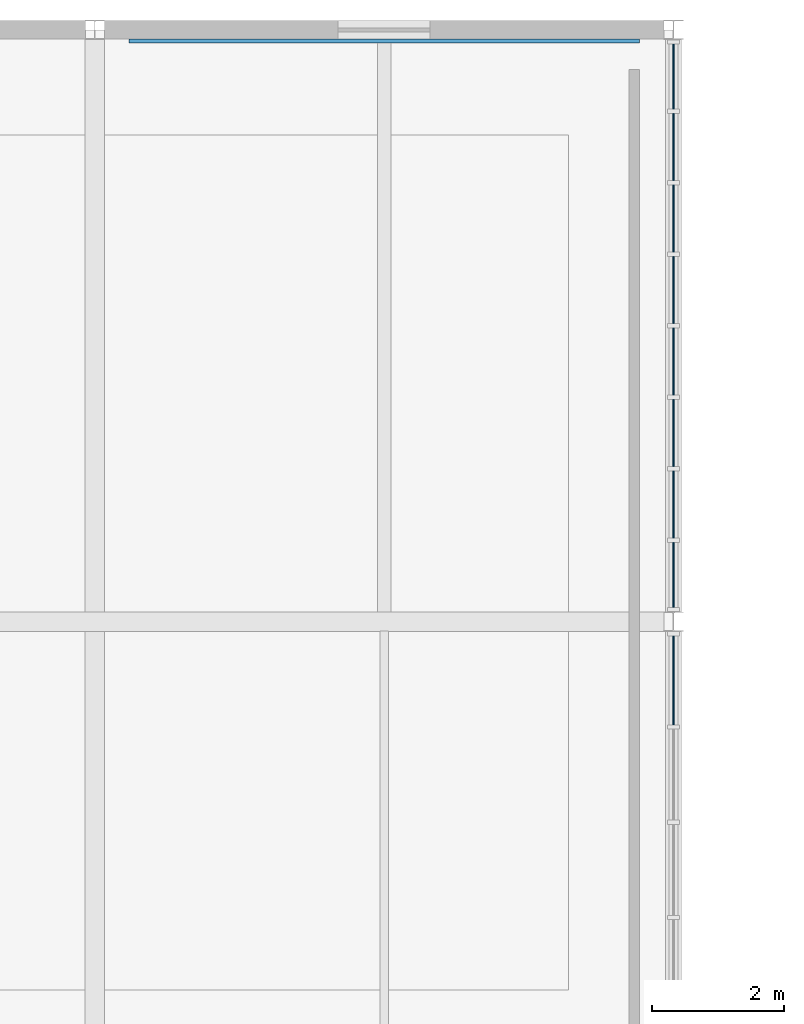
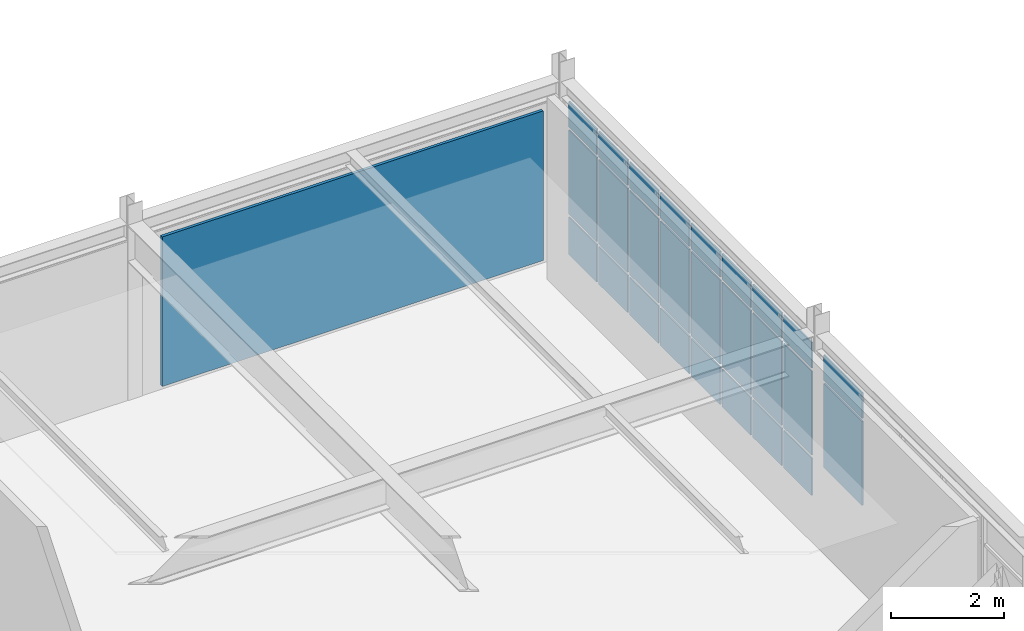
# One storey, part 32 of 64: 27 plates, 2 elements without a shape of their own.
"""IFC4 building model written with IfcOpenShell, lengths in metres."""

from ifc_helpers import new_model, si_unit, direction, frame, origin, origin_2d, place, context, subcontext, project, spatial, rectangle, extrude, material, layer, layer_set, type_object, element, aggregate, save


model = new_model("IFC4")

# Units and contexts
model_context = context("Model", 3, precision=1e-05, world=origin(), true_north=direction((0.0, 1.0)))
body_context = subcontext(model_context, "Body", "Model", "MODEL_VIEW")
ifc_project = project(units=[si_unit("LENGTHUNIT", "METRE"), si_unit("AREAUNIT", "SQUARE_METRE"), si_unit("VOLUMEUNIT", "CUBIC_METRE"), si_unit("PLANEANGLEUNIT", "RADIAN"), si_unit("MASSUNIT", "GRAM", prefix="KILO")], contexts=[model_context])

# Site, building, storey
site_placement = place(None, origin())
site = spatial("IfcSite", under=ifc_project, at=site_placement, CompositionType="ELEMENT")
building_placement = place(site_placement, origin())
building = spatial("IfcBuilding", under=site, at=building_placement, Name="Zhaolan Boulevard Law Courts", CompositionType="ELEMENT")
storey_placement = place(building_placement, frame((0.0, 0.0, 20.39990234375)))
storey = spatial("IfcBuildingStorey", under=building, at=storey_placement, Name="L04", CompositionType="ELEMENT", Elevation=20.39990234375)

# Curtain wall, plates
ifc_material_1 = material(Name="Thermally broken aluminium and low-E glazing", Category="aluminium")
curtain_wall_type_1 = type_object("IfcCurtainWallType", Name="CURTAIN WALL M17", PredefinedType="USERDEFINED", material=ifc_material_1)
curtain_wall_1_placement = place(storey_placement, origin())
curtain_wall_1 = element("IfcCurtainWall", 1, at=curtain_wall_1_placement, inside=storey, type_object=curtain_wall_type_1, Name="Curtain Wall CW-L04-137", ObjectType="CURTAIN WALL", PredefinedType="USERDEFINED")
ifc_material_2 = material(Name="Triple-silver low-E insulated glazing", Category="glass")
ifc_layer_1 = layer(ifc_material_2, 0.028076171875)
ifc_layer_set_1 = layer_set([ifc_layer_1])
plate_type_1 = type_object("IfcPlateType", Name="CWPANEL LOW E28", PredefinedType="CURTAIN_PANEL", material=ifc_layer_set_1)
plate_1_placement = place(storey_placement, frame((44.0, 102.107177734375, 0.9326171875), z_axis=(0.0, 0.0, 1.0), x_axis=(0.0, 1.0, 0.0)))
plate_1 = element("IfcPlate", 2, at=plate_1_placement, type_object=plate_type_1, Name="CW-L04-137 panel 6.2", PredefinedType="CURTAIN_PANEL", context=body_context, shape_type="SweptSolid", body=[
    extrude(rectangle(XDim=1.351806640625, YDim=0.028076171875, at=origin_2d()), origin(), (0.0, 0.0, 1.0), 1.80810546875),
])
plate_2_placement = place(storey_placement, frame((44.0, 102.107177734375, 2.8056640625), z_axis=(0.0, 0.0, 1.0), x_axis=(0.0, 1.0, 0.0)))
plate_2 = element("IfcPlate", 3, at=plate_2_placement, type_object=plate_type_1, Name="CW-L04-137 panel 6.3", PredefinedType="CURTAIN_PANEL", context=body_context, shape_type="SweptSolid", body=[
    extrude(rectangle(XDim=1.351806640625, YDim=0.028076171875, at=origin_2d()), origin(), (0.0, 0.0, 1.0), 0.552490234375),
])
aggregate(curtain_wall_1, [plate_1, plate_2])

ifc_material_3 = material(Name="Thermally broken aluminium and low-E glazing", Category="aluminium")
curtain_wall_type_2 = type_object("IfcCurtainWallType", Name="CURTAIN WALL M18", PredefinedType="USERDEFINED", material=ifc_material_3)
curtain_wall_2_placement = place(storey_placement, origin())
curtain_wall_2 = element("IfcCurtainWall", 4, at=curtain_wall_2_placement, inside=storey, type_object=curtain_wall_type_2, Name="Curtain Wall CW-L04-138", ObjectType="CURTAIN WALL", PredefinedType="USERDEFINED")
plate_3_placement = place(storey_placement, frame((44.0, 103.711669921875, 0.06494140625), z_axis=(0.0, 0.0, 1.0), x_axis=(0.0, 1.0, 0.0)))
plate_3 = element("IfcPlate", 5, at=plate_3_placement, type_object=plate_type_1, Name="CW-L04-138 panel 1.1", PredefinedType="CURTAIN_PANEL", context=body_context, shape_type="SweptSolid", body=[
    extrude(rectangle(XDim=0.989501953125, YDim=0.028076171875, at=origin_2d()), origin(), (0.0, 0.0, 1.0), 0.802490234375),
])
plate_4_placement = place(storey_placement, frame((44.0, 103.711669921875, 0.9326171875), z_axis=(0.0, 0.0, 1.0), x_axis=(0.0, 1.0, 0.0)))
plate_4 = element("IfcPlate", 6, at=plate_4_placement, type_object=plate_type_1, Name="CW-L04-138 panel 1.2", PredefinedType="CURTAIN_PANEL", context=body_context, shape_type="SweptSolid", body=[
    extrude(rectangle(XDim=0.989501953125, YDim=0.028076171875, at=origin_2d()), origin(), (0.0, 0.0, 1.0), 1.80810546875),
])
plate_5_placement = place(storey_placement, frame((44.0, 103.711669921875, 2.8056640625), z_axis=(0.0, 0.0, 1.0), x_axis=(0.0, 1.0, 0.0)))
plate_5 = element("IfcPlate", 7, at=plate_5_placement, type_object=plate_type_1, Name="CW-L04-138 panel 1.3", PredefinedType="CURTAIN_PANEL", context=body_context, shape_type="SweptSolid", body=[
    extrude(rectangle(XDim=0.989501953125, YDim=0.028076171875, at=origin_2d()), origin(), (0.0, 0.0, 1.0), 0.552490234375),
])
plate_6_placement = place(storey_placement, frame((44.0, 104.782470703125, 0.06494140625), z_axis=(0.0, 0.0, 1.0), x_axis=(0.0, 1.0, 0.0)))
plate_6 = element("IfcPlate", 8, at=plate_6_placement, type_object=plate_type_1, Name="CW-L04-138 panel 2.1", PredefinedType="CURTAIN_PANEL", context=body_context, shape_type="SweptSolid", body=[
    extrude(rectangle(XDim=1.02197265625, YDim=0.028076171875, at=origin_2d()), origin(), (0.0, 0.0, 1.0), 0.802490234375),
])
plate_7_placement = place(storey_placement, frame((44.0, 104.782470703125, 0.9326171875), z_axis=(0.0, 0.0, 1.0), x_axis=(0.0, 1.0, 0.0)))
plate_7 = element("IfcPlate", 9, at=plate_7_placement, type_object=plate_type_1, Name="CW-L04-138 panel 2.2", PredefinedType="CURTAIN_PANEL", context=body_context, shape_type="SweptSolid", body=[
    extrude(rectangle(XDim=1.02197265625, YDim=0.028076171875, at=origin_2d()), origin(), (0.0, 0.0, 1.0), 1.80810546875),
])
plate_8_placement = place(storey_placement, frame((44.0, 104.782470703125, 2.8056640625), z_axis=(0.0, 0.0, 1.0), x_axis=(0.0, 1.0, 0.0)))
plate_8 = element("IfcPlate", 10, at=plate_8_placement, type_object=plate_type_1, Name="CW-L04-138 panel 2.3", PredefinedType="CURTAIN_PANEL", context=body_context, shape_type="SweptSolid", body=[
    extrude(rectangle(XDim=1.02197265625, YDim=0.028076171875, at=origin_2d()), origin(), (0.0, 0.0, 1.0), 0.552490234375),
])
plate_9_placement = place(storey_placement, frame((44.0, 105.869384765625, 0.06494140625), z_axis=(0.0, 0.0, 1.0), x_axis=(0.0, 1.0, 0.0)))
plate_9 = element("IfcPlate", 11, at=plate_9_placement, type_object=plate_type_1, Name="CW-L04-138 panel 3.1", PredefinedType="CURTAIN_PANEL", context=body_context, shape_type="SweptSolid", body=[
    extrude(rectangle(XDim=1.02197265625, YDim=0.028076171875, at=origin_2d()), origin(), (0.0, 0.0, 1.0), 0.802490234375),
])
plate_10_placement = place(storey_placement, frame((44.0, 105.869384765625, 0.9326171875), z_axis=(0.0, 0.0, 1.0), x_axis=(0.0, 1.0, 0.0)))
plate_10 = element("IfcPlate", 12, at=plate_10_placement, type_object=plate_type_1, Name="CW-L04-138 panel 3.2", PredefinedType="CURTAIN_PANEL", context=body_context, shape_type="SweptSolid", body=[
    extrude(rectangle(XDim=1.02197265625, YDim=0.028076171875, at=origin_2d()), origin(), (0.0, 0.0, 1.0), 1.80810546875),
])
plate_11_placement = place(storey_placement, frame((44.0, 105.869384765625, 2.8056640625), z_axis=(0.0, 0.0, 1.0), x_axis=(0.0, 1.0, 0.0)))
plate_11 = element("IfcPlate", 13, at=plate_11_placement, type_object=plate_type_1, Name="CW-L04-138 panel 3.3", PredefinedType="CURTAIN_PANEL", context=body_context, shape_type="SweptSolid", body=[
    extrude(rectangle(XDim=1.02197265625, YDim=0.028076171875, at=origin_2d()), origin(), (0.0, 0.0, 1.0), 0.552490234375),
])
plate_12_placement = place(storey_placement, frame((44.0, 106.95654296875, 0.06494140625), z_axis=(0.0, 0.0, 1.0), x_axis=(0.0, 1.0, 0.0)))
plate_12 = element("IfcPlate", 14, at=plate_12_placement, type_object=plate_type_1, Name="CW-L04-138 panel 4.1", PredefinedType="CURTAIN_PANEL", context=body_context, shape_type="SweptSolid", body=[
    extrude(rectangle(XDim=1.02197265625, YDim=0.028076171875, at=origin_2d()), origin(), (0.0, 0.0, 1.0), 0.802490234375),
])
plate_13_placement = place(storey_placement, frame((44.0, 106.95654296875, 0.9326171875), z_axis=(0.0, 0.0, 1.0), x_axis=(0.0, 1.0, 0.0)))
plate_13 = element("IfcPlate", 15, at=plate_13_placement, type_object=plate_type_1, Name="CW-L04-138 panel 4.2", PredefinedType="CURTAIN_PANEL", context=body_context, shape_type="SweptSolid", body=[
    extrude(rectangle(XDim=1.02197265625, YDim=0.028076171875, at=origin_2d()), origin(), (0.0, 0.0, 1.0), 1.80810546875),
])
plate_14_placement = place(storey_placement, frame((44.0, 106.95654296875, 2.8056640625), z_axis=(0.0, 0.0, 1.0), x_axis=(0.0, 1.0, 0.0)))
plate_14 = element("IfcPlate", 16, at=plate_14_placement, type_object=plate_type_1, Name="CW-L04-138 panel 4.3", PredefinedType="CURTAIN_PANEL", context=body_context, shape_type="SweptSolid", body=[
    extrude(rectangle(XDim=1.02197265625, YDim=0.028076171875, at=origin_2d()), origin(), (0.0, 0.0, 1.0), 0.552490234375),
])
plate_15_placement = place(storey_placement, frame((44.0, 108.04345703125, 0.06494140625), z_axis=(0.0, 0.0, 1.0), x_axis=(0.0, 1.0, 0.0)))
plate_15 = element("IfcPlate", 17, at=plate_15_placement, type_object=plate_type_1, Name="CW-L04-138 panel 5.1", PredefinedType="CURTAIN_PANEL", context=body_context, shape_type="SweptSolid", body=[
    extrude(rectangle(XDim=1.02197265625, YDim=0.028076171875, at=origin_2d()), origin(), (0.0, 0.0, 1.0), 0.802490234375),
])
plate_16_placement = place(storey_placement, frame((44.0, 108.04345703125, 0.9326171875), z_axis=(0.0, 0.0, 1.0), x_axis=(0.0, 1.0, 0.0)))
plate_16 = element("IfcPlate", 18, at=plate_16_placement, type_object=plate_type_1, Name="CW-L04-138 panel 5.2", PredefinedType="CURTAIN_PANEL", context=body_context, shape_type="SweptSolid", body=[
    extrude(rectangle(XDim=1.02197265625, YDim=0.028076171875, at=origin_2d()), origin(), (0.0, 0.0, 1.0), 1.80810546875),
])
plate_17_placement = place(storey_placement, frame((44.0, 108.04345703125, 2.8056640625), z_axis=(0.0, 0.0, 1.0), x_axis=(0.0, 1.0, 0.0)))
plate_17 = element("IfcPlate", 19, at=plate_17_placement, type_object=plate_type_1, Name="CW-L04-138 panel 5.3", PredefinedType="CURTAIN_PANEL", context=body_context, shape_type="SweptSolid", body=[
    extrude(rectangle(XDim=1.02197265625, YDim=0.028076171875, at=origin_2d()), origin(), (0.0, 0.0, 1.0), 0.552490234375),
])
plate_18_placement = place(storey_placement, frame((44.0, 109.130615234375, 0.06494140625), z_axis=(0.0, 0.0, 1.0), x_axis=(0.0, 1.0, 0.0)))
plate_18 = element("IfcPlate", 20, at=plate_18_placement, type_object=plate_type_1, Name="CW-L04-138 panel 6.1", PredefinedType="CURTAIN_PANEL", context=body_context, shape_type="SweptSolid", body=[
    extrude(rectangle(XDim=1.02197265625, YDim=0.028076171875, at=origin_2d()), origin(), (0.0, 0.0, 1.0), 0.802490234375),
])
plate_19_placement = place(storey_placement, frame((44.0, 109.130615234375, 0.9326171875), z_axis=(0.0, 0.0, 1.0), x_axis=(0.0, 1.0, 0.0)))
plate_19 = element("IfcPlate", 21, at=plate_19_placement, type_object=plate_type_1, Name="CW-L04-138 panel 6.2", PredefinedType="CURTAIN_PANEL", context=body_context, shape_type="SweptSolid", body=[
    extrude(rectangle(XDim=1.02197265625, YDim=0.028076171875, at=origin_2d()), origin(), (0.0, 0.0, 1.0), 1.80810546875),
])
plate_20_placement = place(storey_placement, frame((44.0, 109.130615234375, 2.8056640625), z_axis=(0.0, 0.0, 1.0), x_axis=(0.0, 1.0, 0.0)))
plate_20 = element("IfcPlate", 22, at=plate_20_placement, type_object=plate_type_1, Name="CW-L04-138 panel 6.3", PredefinedType="CURTAIN_PANEL", context=body_context, shape_type="SweptSolid", body=[
    extrude(rectangle(XDim=1.02197265625, YDim=0.028076171875, at=origin_2d()), origin(), (0.0, 0.0, 1.0), 0.552490234375),
])
plate_21_placement = place(storey_placement, frame((44.0, 110.217529296875, 0.06494140625), z_axis=(0.0, 0.0, 1.0), x_axis=(0.0, 1.0, 0.0)))
plate_21 = element("IfcPlate", 23, at=plate_21_placement, type_object=plate_type_1, Name="CW-L04-138 panel 7.1", PredefinedType="CURTAIN_PANEL", context=body_context, shape_type="SweptSolid", body=[
    extrude(rectangle(XDim=1.02197265625, YDim=0.028076171875, at=origin_2d()), origin(), (0.0, 0.0, 1.0), 0.802490234375),
])
plate_22_placement = place(storey_placement, frame((44.0, 110.217529296875, 0.9326171875), z_axis=(0.0, 0.0, 1.0), x_axis=(0.0, 1.0, 0.0)))
plate_22 = element("IfcPlate", 24, at=plate_22_placement, type_object=plate_type_1, Name="CW-L04-138 panel 7.2", PredefinedType="CURTAIN_PANEL", context=body_context, shape_type="SweptSolid", body=[
    extrude(rectangle(XDim=1.02197265625, YDim=0.028076171875, at=origin_2d()), origin(), (0.0, 0.0, 1.0), 1.80810546875),
])
plate_23_placement = place(storey_placement, frame((44.0, 110.217529296875, 2.8056640625), z_axis=(0.0, 0.0, 1.0), x_axis=(0.0, 1.0, 0.0)))
plate_23 = element("IfcPlate", 25, at=plate_23_placement, type_object=plate_type_1, Name="CW-L04-138 panel 7.3", PredefinedType="CURTAIN_PANEL", context=body_context, shape_type="SweptSolid", body=[
    extrude(rectangle(XDim=1.02197265625, YDim=0.028076171875, at=origin_2d()), origin(), (0.0, 0.0, 1.0), 0.552490234375),
])
plate_24_placement = place(storey_placement, frame((44.0, 111.288330078125, 0.06494140625), z_axis=(0.0, 0.0, 1.0), x_axis=(0.0, 1.0, 0.0)))
plate_24 = element("IfcPlate", 26, at=plate_24_placement, type_object=plate_type_1, Name="CW-L04-138 panel 8.1", PredefinedType="CURTAIN_PANEL", context=body_context, shape_type="SweptSolid", body=[
    extrude(rectangle(XDim=0.989501953125, YDim=0.028076171875, at=origin_2d()), origin(), (0.0, 0.0, 1.0), 0.802490234375),
])
plate_25_placement = place(storey_placement, frame((44.0, 111.288330078125, 0.9326171875), z_axis=(0.0, 0.0, 1.0), x_axis=(0.0, 1.0, 0.0)))
plate_25 = element("IfcPlate", 27, at=plate_25_placement, type_object=plate_type_1, Name="CW-L04-138 panel 8.2", PredefinedType="CURTAIN_PANEL", context=body_context, shape_type="SweptSolid", body=[
    extrude(rectangle(XDim=0.989501953125, YDim=0.028076171875, at=origin_2d()), origin(), (0.0, 0.0, 1.0), 1.80810546875),
])
plate_26_placement = place(storey_placement, frame((44.0, 111.288330078125, 2.8056640625), z_axis=(0.0, 0.0, 1.0), x_axis=(0.0, 1.0, 0.0)))
plate_26 = element("IfcPlate", 28, at=plate_26_placement, type_object=plate_type_1, Name="CW-L04-138 panel 8.3", PredefinedType="CURTAIN_PANEL", context=body_context, shape_type="SweptSolid", body=[
    extrude(rectangle(XDim=0.989501953125, YDim=0.028076171875, at=origin_2d()), origin(), (0.0, 0.0, 1.0), 0.552490234375),
])
aggregate(curtain_wall_2, [plate_3, plate_4, plate_5, plate_6, plate_7, plate_8, plate_9, plate_10, plate_11, plate_12, plate_13, plate_14, plate_15, plate_16, plate_17, plate_18, plate_19, plate_20, plate_21, plate_22, plate_23, plate_24, plate_25, plate_26])

# Plate
ifc_material_4 = material(Name="Pale mist-grey standing-seam Al-Mg-Mn zinc-titanium")
ifc_layer_2 = layer(ifc_material_4, 0.06005859375)
ifc_layer_set_2 = layer_set([ifc_layer_2])
plate_type_2 = type_object("IfcPlateType", Name="STANDING SEAM PLATE 60", PredefinedType="SHEET", material=ifc_layer_set_2)
plate_27_placement = place(storey_placement, frame((39.60009765625, 111.830078125, 0.099609375), z_axis=(0.0, 0.0, 1.0), x_axis=(-1.0, 0.0, 0.0)))
element("IfcPlate", 29, at=plate_27_placement, inside=storey, type_object=plate_type_2, Name="Standing-Seam Metal Wall Cladding SSP-L04-364", PredefinedType="SHEET", context=body_context, shape_type="SweptSolid", body=[
    extrude(rectangle(XDim=7.760009765625, YDim=0.06005859375, at=origin_2d()), origin(), (0.0, 0.0, 1.0), 3.222900390625),
])

save(model, "model.ifc")
